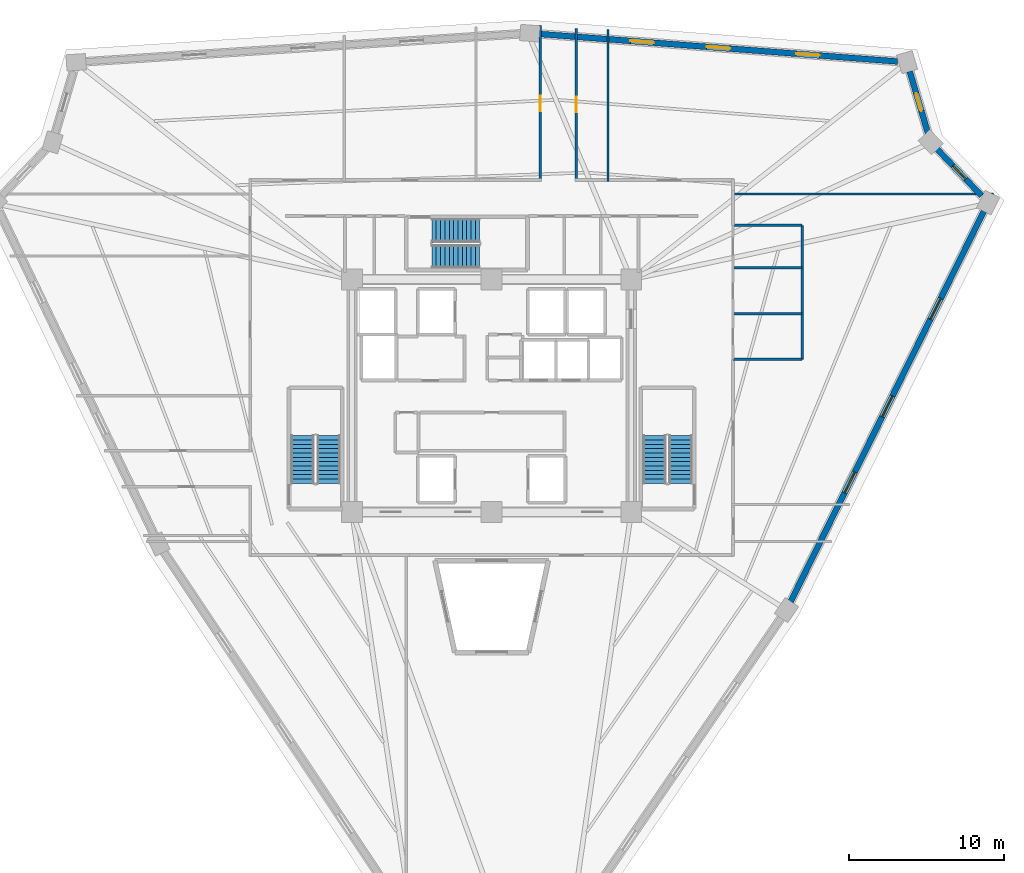
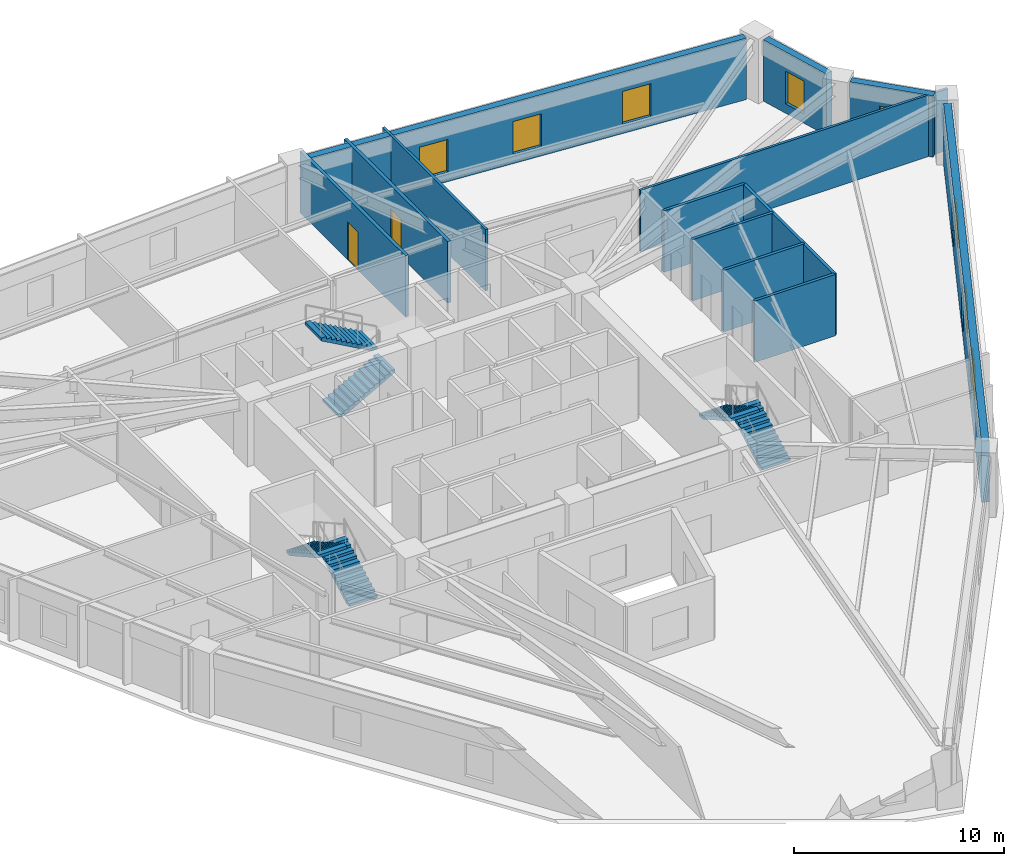
# One storey, part 7 of 8: 13 walls, 8 windows, 6 stair flights, 2 doors, 10 openings, 3 elements without a shape of their own.
"""IFC4 building model written with IfcOpenShell, lengths in metres."""

from ifc_helpers import new_model, si_unit, direction, frame, frame_2d, origin, place, context, subcontext, project, spatial, polyline, rectangle, outline, extrude, source, transform, mapped, material, layer, layer_set, type_object, element, fill, aggregate, save


model = new_model("IFC4")

# Units and contexts
model_context = context("Model", 3, precision=1e-05, world=origin(), true_north=direction((0.0, 1.0)))
body_context = subcontext(model_context, "Body", "Model", "MODEL_VIEW")
ifc_project = project(units=[si_unit("LENGTHUNIT", "METRE"), si_unit("AREAUNIT", "SQUARE_METRE"), si_unit("VOLUMEUNIT", "CUBIC_METRE"), si_unit("PLANEANGLEUNIT", "RADIAN"), si_unit("MASSUNIT", "GRAM", prefix="KILO")], contexts=[model_context])

# Site, building, storey
site_placement = place(None, origin())
site = spatial("IfcSite", under=ifc_project, at=site_placement, CompositionType="ELEMENT")
building_placement = place(site_placement, origin())
building = spatial("IfcBuilding", under=site, at=building_placement, Name="Liaohun Quay Tower", CompositionType="ELEMENT")
storey_placement = place(building_placement, frame((0.0, 0.0, 255.0)))
storey = spatial("IfcBuildingStorey", under=building, at=storey_placement, Name="L66", CompositionType="ELEMENT", Elevation=255.0)

# Wall, openings, windows
ifc_material_1 = material(Name="Precast concrete C50 insulated sandwich", Category="concrete")
ifc_layer_1 = layer(ifc_material_1, 0.3798828125, Name="Precast concrete C50 insulated sandwich", Category="concrete")
ifc_layer_set_1 = layer_set([ifc_layer_1], Name="Precast concrete C50 insulated sandwich")
wall_type_1 = type_object("IfcWallType", Name="WAL-EXT-Z34", PredefinedType="SOLIDWALL", material=ifc_layer_set_1)
wall_1_placement = place(storey_placement, frame((79.281005859375, 40.73291015625, 0.0), z_axis=(0.0, 0.0, 1.0), x_axis=(0.44350165784, 0.896273551709, 0.0)))
wall_1 = element("IfcWall", 1, at=wall_1_placement, inside=storey, type_object=wall_type_1, Name="L66 Brutalist Precast Pier Wall 03", PredefinedType="SOLIDWALL", context=body_context, shape_type="SweptSolid", body=[
    extrude(rectangle(XDim=28.07421875, YDim=0.3798828125, at=frame_2d((14.037109375, 0.0))), origin(), (0.0, 0.0, 1.0), 3.570068359375),
])
shared_shape_1 = source(origin(), body_context, "Body", "SweptSolid", [
    extrude(rectangle(XDim=1.5, YDim=1.89990234375, at=frame_2d((0.75, 0.949951171875))), frame((0.0, 0.199951171875, 0.0), z_axis=(0.0, -1.0, 0.0), x_axis=(1.0, 0.0, 0.0)), (0.0, 0.0, 1.0), 0.39990234375),
])
opening_1_placement = place(wall_1_placement, frame((7.819091796875, 0.0, 0.550048828125)))
opening_1 = element("IfcOpeningElement", 2, at=opening_1_placement, cuts=wall_1, Name="Opening W03", PredefinedType="OPENING", context=body_context, shape_type="MappedRepresentation", body=[
    mapped(shared_shape_1, transform((0.0, 0.0, 0.0), x_axis=(1.0, 0.0, 0.0), y_axis=(0.0, 1.0, 0.0), z_axis=(0.0, 0.0, 1.0), scale=1.0)),
])
opening_2_placement = place(wall_1_placement, frame((13.287109375, 0.0, 0.550048828125)))
opening_2 = element("IfcOpeningElement", 3, at=opening_2_placement, cuts=wall_1, Name="Opening W03", PredefinedType="OPENING", context=body_context, shape_type="MappedRepresentation", body=[
    mapped(shared_shape_1, transform((0.0, 0.0, 0.0), x_axis=(1.0, 0.0, 0.0), y_axis=(0.0, 1.0, 0.0), z_axis=(0.0, 0.0, 1.0), scale=1.0)),
])
opening_3_placement = place(wall_1_placement, frame((20.305908203125, 0.0, 0.550048828125)))
opening_3 = element("IfcOpeningElement", 4, at=opening_3_placement, cuts=wall_1, Name="Opening W03", PredefinedType="OPENING", context=body_context, shape_type="MappedRepresentation", body=[
    mapped(shared_shape_1, transform((0.0, 0.0, 0.0), x_axis=(1.0, 0.0, 0.0), y_axis=(0.0, 1.0, 0.0), z_axis=(0.0, 0.0, 1.0), scale=1.0)),
])
ifc_material_2 = material(Name="Triple Low-E argon glazing in thermally broken aluminium", Category="aluminium")
window_type_1 = type_object("IfcWindowType", Name="WIN-PUN-Z3", PartitioningType="DOUBLE_PANEL_VERTICAL", PredefinedType="WINDOW", material=ifc_material_2)
shared_shape_2 = source(origin(), body_context, "Body", "SweptSolid", [
    extrude(rectangle(XDim=1.5, YDim=1.89990234375, at=frame_2d((0.75, 0.949951171875))), frame((0.0, 0.030029296875, 0.0), z_axis=(0.0, -1.0, 0.0), x_axis=(1.0, 0.0, 0.0)), (0.0, 0.0, 1.0), 0.06005859375),
])
window_1_placement = place(opening_1_placement, origin())
window_1 = element("IfcWindow", 5, at=window_1_placement, inside=storey, type_object=window_type_1, Name="L66 Recessed Cold-Climate Punched Window 03-1", OverallHeight=1.89990234375, OverallWidth=1.5, PartitioningType="DOUBLE_PANEL_VERTICAL", PredefinedType="WINDOW", context=body_context, shape_type="MappedRepresentation", body=[
    mapped(shared_shape_2, transform((0.0, 0.0, 0.0), x_axis=(1.0, 0.0, 0.0), y_axis=(0.0, 1.0, 0.0), z_axis=(0.0, 0.0, 1.0), scale=1.0)),
])
fill(opening_1, window_1)
window_2_placement = place(opening_2_placement, origin())
window_2 = element("IfcWindow", 6, at=window_2_placement, inside=storey, type_object=window_type_1, Name="L66 Recessed Cold-Climate Punched Window 03-2", OverallHeight=1.89990234375, OverallWidth=1.5, PartitioningType="DOUBLE_PANEL_VERTICAL", PredefinedType="WINDOW", context=body_context, shape_type="MappedRepresentation", body=[
    mapped(shared_shape_2, transform((0.0, 0.0, 0.0), x_axis=(1.0, 0.0, 0.0), y_axis=(0.0, 1.0, 0.0), z_axis=(0.0, 0.0, 1.0), scale=1.0)),
])
fill(opening_2, window_2)
window_3_placement = place(opening_3_placement, origin())
window_3 = element("IfcWindow", 7, at=window_3_placement, inside=storey, type_object=window_type_1, Name="L66 Recessed Cold-Climate Punched Window 03-3", OverallHeight=1.89990234375, OverallWidth=1.5, PartitioningType="DOUBLE_PANEL_VERTICAL", PredefinedType="WINDOW", context=body_context, shape_type="MappedRepresentation", body=[
    mapped(shared_shape_2, transform((0.0, 0.0, 0.0), x_axis=(1.0, 0.0, 0.0), y_axis=(0.0, 1.0, 0.0), z_axis=(0.0, 0.0, 1.0), scale=1.0)),
])
fill(opening_3, window_3)

# Wall, opening, window
wall_2_placement = place(storey_placement, frame((91.5810546875, 66.89208984375, 0.0), z_axis=(0.0, 0.0, 1.0), x_axis=(-0.689387303183, 0.724392950139, 0.0)))
wall_2 = element("IfcWall", 8, at=wall_2_placement, inside=storey, type_object=wall_type_1, Name="L66 Brutalist Precast Pier Wall 04", PredefinedType="SOLIDWALL", context=body_context, shape_type="SweptSolid", body=[
    extrude(rectangle(XDim=4.142822265625, YDim=0.3798828125, at=frame_2d((2.0712890625, 0.0))), origin(), (0.0, 0.0, 1.0), 3.570068359375),
])
shared_shape_3 = source(origin(), body_context, "Body", "SweptSolid", [
    extrude(rectangle(XDim=1.199951171875, YDim=1.89990234375, at=frame_2d((0.60009765625, 0.949951171875))), frame((0.0, 0.199951171875, 0.0), z_axis=(0.0, -1.0, 0.0), x_axis=(1.0, 0.0, 0.0)), (0.0, 0.0, 1.0), 0.39990234375),
])
opening_4_placement = place(wall_2_placement, frame((1.470947265625, 0.0, 0.550048828125)))
opening_4 = element("IfcOpeningElement", 9, at=opening_4_placement, cuts=wall_2, Name="Opening W05", PredefinedType="OPENING", context=body_context, shape_type="MappedRepresentation", body=[
    mapped(shared_shape_3, transform((0.0, 0.0, 0.0), x_axis=(1.0, 0.0, 0.0), y_axis=(0.0, 1.0, 0.0), z_axis=(0.0, 0.0, 1.0), scale=1.0)),
])
ifc_material_3 = material(Name="Triple Low-E corner notch glazing", Category="glass")
window_type_2 = type_object("IfcWindowType", Name="WIN-NOTCH", PartitioningType="SINGLE_PANEL", PredefinedType="WINDOW", material=ifc_material_3)
shared_shape_4 = source(origin(), body_context, "Body", "SweptSolid", [
    extrude(rectangle(XDim=1.199951171875, YDim=1.89990234375, at=frame_2d((0.60009765625, 0.949951171875))), frame((0.0, 0.030029296875, 0.0), z_axis=(0.0, -1.0, 0.0), x_axis=(1.0, 0.0, 0.0)), (0.0, 0.0, 1.0), 0.06005859375),
])
window_4_placement = place(opening_4_placement, origin())
window_4 = element("IfcWindow", 10, at=window_4_placement, inside=storey, type_object=window_type_2, Name="L66 Corner Notch Window W05-04", OverallHeight=1.89990234375, OverallWidth=1.199951171875, PartitioningType="SINGLE_PANEL", PredefinedType="WINDOW", context=body_context, shape_type="MappedRepresentation", body=[
    mapped(shared_shape_4, transform((0.0, 0.0, 0.0), x_axis=(1.0, 0.0, 0.0), y_axis=(0.0, 1.0, 0.0), z_axis=(0.0, 0.0, 1.0), scale=1.0)),
])
fill(opening_4, window_4)

wall_3_placement = place(storey_placement, frame((88.126953125, 70.928955078125, 0.0), z_axis=(0.0, 0.0, 1.0), x_axis=(-0.283028996967, 0.959111352699, 0.0)))
wall_3 = element("IfcWall", 11, at=wall_3_placement, inside=storey, type_object=wall_type_1, Name="L66 Brutalist Precast Pier Wall 05", PredefinedType="SOLIDWALL", context=body_context, shape_type="SweptSolid", body=[
    extrude(rectangle(XDim=4.151611328125, YDim=0.3798828125, at=frame_2d((2.07568359375, 0.0))), origin(), (0.0, 0.0, 1.0), 3.570068359375),
])
opening_5_placement = place(wall_3_placement, frame((1.47607421875, 0.0, 0.550048828125)))
opening_5 = element("IfcOpeningElement", 12, at=opening_5_placement, cuts=wall_3, Name="Opening W05", PredefinedType="OPENING", context=body_context, shape_type="MappedRepresentation", body=[
    mapped(shared_shape_3, transform((0.0, 0.0, 0.0), x_axis=(1.0, 0.0, 0.0), y_axis=(0.0, 1.0, 0.0), z_axis=(0.0, 0.0, 1.0), scale=1.0)),
])
window_5_placement = place(opening_5_placement, origin())
window_5 = element("IfcWindow", 13, at=window_5_placement, inside=storey, type_object=window_type_2, Name="L66 Corner Notch Window W05-05", OverallHeight=1.89990234375, OverallWidth=1.199951171875, PartitioningType="SINGLE_PANEL", PredefinedType="WINDOW", context=body_context, shape_type="MappedRepresentation", body=[
    mapped(shared_shape_4, transform((0.0, 0.0, 0.0), x_axis=(1.0, 0.0, 0.0), y_axis=(0.0, 1.0, 0.0), z_axis=(0.0, 0.0, 1.0), scale=1.0)),
])
fill(opening_5, window_5)

# Wall, openings, windows
wall_4_placement = place(storey_placement, frame((86.1650390625, 75.548095703125, 0.0), z_axis=(0.0, 0.0, 1.0), x_axis=(-0.997058143471, 0.076648930443, 0.0)))
wall_4 = element("IfcWall", 14, at=wall_4_placement, inside=storey, type_object=wall_type_1, Name="L66 Brutalist Precast Pier Wall 06", PredefinedType="SOLIDWALL", context=body_context, shape_type="SweptSolid", body=[
    extrude(rectangle(XDim=23.15625, YDim=0.3798828125, at=frame_2d((11.578125, 0.0))), origin(), (0.0, 0.0, 1.0), 3.570068359375),
])
opening_6_placement = place(wall_4_placement, frame((5.0390625, 0.0, 0.550048828125)))
opening_6 = element("IfcOpeningElement", 15, at=opening_6_placement, cuts=wall_4, Name="Opening W03", PredefinedType="OPENING", context=body_context, shape_type="MappedRepresentation", body=[
    mapped(shared_shape_1, transform((0.0, 0.0, 0.0), x_axis=(1.0, 0.0, 0.0), y_axis=(0.0, 1.0, 0.0), z_axis=(0.0, 0.0, 1.0), scale=1.0)),
])
opening_7_placement = place(wall_4_placement, frame((10.827880859375, 0.0, 0.550048828125)))
opening_7 = element("IfcOpeningElement", 16, at=opening_7_placement, cuts=wall_4, Name="Opening W03", PredefinedType="OPENING", context=body_context, shape_type="MappedRepresentation", body=[
    mapped(shared_shape_1, transform((0.0, 0.0, 0.0), x_axis=(1.0, 0.0, 0.0), y_axis=(0.0, 1.0, 0.0), z_axis=(0.0, 0.0, 1.0), scale=1.0)),
])
opening_8_placement = place(wall_4_placement, frame((15.76708984375, 0.0, 0.550048828125)))
opening_8 = element("IfcOpeningElement", 17, at=opening_8_placement, cuts=wall_4, Name="Opening W03", PredefinedType="OPENING", context=body_context, shape_type="MappedRepresentation", body=[
    mapped(shared_shape_1, transform((0.0, 0.0, 0.0), x_axis=(1.0, 0.0, 0.0), y_axis=(0.0, 1.0, 0.0), z_axis=(0.0, 0.0, 1.0), scale=1.0)),
])
window_6_placement = place(opening_6_placement, origin())
window_6 = element("IfcWindow", 18, at=window_6_placement, inside=storey, type_object=window_type_1, Name="L66 Recessed Cold-Climate Punched Window 06-1", OverallHeight=1.89990234375, OverallWidth=1.5, PartitioningType="DOUBLE_PANEL_VERTICAL", PredefinedType="WINDOW", context=body_context, shape_type="MappedRepresentation", body=[
    mapped(shared_shape_2, transform((0.0, 0.0, 0.0), x_axis=(1.0, 0.0, 0.0), y_axis=(0.0, 1.0, 0.0), z_axis=(0.0, 0.0, 1.0), scale=1.0)),
])
fill(opening_6, window_6)
window_7_placement = place(opening_7_placement, origin())
window_7 = element("IfcWindow", 19, at=window_7_placement, inside=storey, type_object=window_type_1, Name="L66 Recessed Cold-Climate Punched Window 06-2", OverallHeight=1.89990234375, OverallWidth=1.5, PartitioningType="DOUBLE_PANEL_VERTICAL", PredefinedType="WINDOW", context=body_context, shape_type="MappedRepresentation", body=[
    mapped(shared_shape_2, transform((0.0, 0.0, 0.0), x_axis=(1.0, 0.0, 0.0), y_axis=(0.0, 1.0, 0.0), z_axis=(0.0, 0.0, 1.0), scale=1.0)),
])
fill(opening_7, window_7)
window_8_placement = place(opening_8_placement, origin())
window_8 = element("IfcWindow", 20, at=window_8_placement, inside=storey, type_object=window_type_1, Name="L66 Recessed Cold-Climate Punched Window 06-3", OverallHeight=1.89990234375, OverallWidth=1.5, PartitioningType="DOUBLE_PANEL_VERTICAL", PredefinedType="WINDOW", context=body_context, shape_type="MappedRepresentation", body=[
    mapped(shared_shape_2, transform((0.0, 0.0, 0.0), x_axis=(1.0, 0.0, 0.0), y_axis=(0.0, 1.0, 0.0), z_axis=(0.0, 0.0, 1.0), scale=1.0)),
])
fill(opening_8, window_8)

# Wall, opening, door
ifc_material_4 = material(Name="Autoclaved aerated concrete blockwork", Category="masonry")
ifc_layer_2 = layer(ifc_material_4, 0.179931640625, Name="Autoclaved aerated concrete blockwork", Category="masonry")
ifc_layer_set_2 = layer_set([ifc_layer_2], Name="Autoclaved aerated concrete blockwork")
wall_type_2 = type_object("IfcWallType", Name="WAL-PRT-COR", PredefinedType="PARTITIONING", material=ifc_layer_set_2)
wall_5_placement = place(storey_placement, frame((65.4599609375, 77.680908203125, 0.0), z_axis=(0.0, 0.0, 1.0), x_axis=(0.0, -1.0, 0.0)))
wall_5 = element("IfcWall", 21, at=wall_5_placement, inside=storey, type_object=wall_type_2, Name="L66 Interior Partition Wall 018", PredefinedType="PARTITIONING", context=body_context, shape_type="SweptSolid", body=[
    extrude(rectangle(XDim=9.8408203125, YDim=0.179931640625, at=frame_2d((4.92041015625, 0.0))), origin(), (0.0, 0.0, 1.0), 3.570068359375),
])
shared_shape_5 = source(origin(), body_context, "Body", "SweptSolid", [
    extrude(rectangle(XDim=1.0, YDim=2.199951171875, at=frame_2d((0.5, 1.10009765625))), frame((0.0, 0.099853515625, 0.0), z_axis=(0.0, -1.0, 0.0), x_axis=(1.0, 0.0, 0.0)), (0.0, 0.0, 1.0), 0.199951171875),
])
opening_9_placement = place(wall_5_placement, frame((4.419921875, 0.0, 0.0)))
opening_9 = element("IfcOpeningElement", 22, at=opening_9_placement, cuts=wall_5, Name="Opening OD1", PredefinedType="OPENING", context=body_context, shape_type="MappedRepresentation", body=[
    mapped(shared_shape_5, transform((0.0, 0.0, 0.0), x_axis=(1.0, 0.0, 0.0), y_axis=(0.0, 1.0, 0.0), z_axis=(0.0, 0.0, 1.0), scale=1.0)),
])
ifc_material_5 = material(Name="Solid-core oak veneer timber leaf in steel frame", Category="steel")
door_type = type_object("IfcDoorType", Name="DOR-OFF-1000", OperationType="NOTDEFINED", PredefinedType="DOOR", material=ifc_material_5)
shared_shape_6 = source(origin(), body_context, "Body", "SweptSolid", [
    extrude(rectangle(XDim=1.0, YDim=2.199951171875, at=frame_2d((0.5, 1.10009765625))), frame((0.0, 0.02490234375, 0.0), z_axis=(0.0, -1.0, 0.0), x_axis=(1.0, 0.0, 0.0)), (0.0, 0.0, 1.0), 0.050048828125),
])
door_1_placement = place(opening_9_placement, origin())
door_1 = element("IfcDoor", 23, at=door_1_placement, inside=storey, type_object=door_type, Name="L66 Digital Prototyping Laboratory 03 Door", OperationType="SINGLE_SWING_RIGHT", OverallHeight=2.199951171875, OverallWidth=1.0, PredefinedType="DOOR", context=body_context, shape_type="MappedRepresentation", body=[
    mapped(shared_shape_6, transform((0.0, 0.0, 0.0), x_axis=(1.0, 0.0, 0.0), y_axis=(0.0, 1.0, 0.0), z_axis=(0.0, 0.0, 1.0), scale=1.0)),
])
fill(opening_9, door_1)

wall_6_placement = place(storey_placement, frame((63.139892578125, 67.840087890625, 0.0), z_axis=(0.0, 0.0, 1.0), x_axis=(0.0, 1.0, 0.0)))
wall_6 = element("IfcWall", 24, at=wall_6_placement, inside=storey, type_object=wall_type_2, Name="L66 Interior Partition Wall 019", PredefinedType="PARTITIONING", context=body_context, shape_type="SweptSolid", body=[
    extrude(rectangle(XDim=10.018798828125, YDim=0.179931640625, at=frame_2d((5.00927734375, 0.0))), origin(), (0.0, 0.0, 1.0), 3.570068359375),
])
opening_10_placement = place(wall_6_placement, frame((4.509033203125, 0.0, 0.0)))
opening_10 = element("IfcOpeningElement", 25, at=opening_10_placement, cuts=wall_6, Name="Opening OD1", PredefinedType="OPENING", context=body_context, shape_type="MappedRepresentation", body=[
    mapped(shared_shape_5, transform((0.0, 0.0, 0.0), x_axis=(1.0, 0.0, 0.0), y_axis=(0.0, 1.0, 0.0), z_axis=(0.0, 0.0, 1.0), scale=1.0)),
])
door_2_placement = place(opening_10_placement, origin())
door_2 = element("IfcDoor", 26, at=door_2_placement, inside=storey, type_object=door_type, Name="L66 Project Collaboration Studio 04 Door", OperationType="SINGLE_SWING_LEFT", OverallHeight=2.199951171875, OverallWidth=1.0, PredefinedType="DOOR", context=body_context, shape_type="MappedRepresentation", body=[
    mapped(shared_shape_6, transform((0.0, 0.0, 0.0), x_axis=(1.0, 0.0, 0.0), y_axis=(0.0, 1.0, 0.0), z_axis=(0.0, 0.0, 1.0), scale=1.0)),
])
fill(opening_10, door_2)

# Walls
ifc_material_6 = material(Name="Gypsum board on twin steel studs", Category="steel")
ifc_layer_3 = layer(ifc_material_6, 0.139892578125, Name="Gypsum board on twin steel studs", Category="steel")
ifc_layer_set_3 = layer_set([ifc_layer_3], Name="Gypsum board on twin steel studs")
wall_type_3 = type_object("IfcWallType", Name="WAL-PRT-OFF", PredefinedType="PARTITIONING", material=ifc_layer_set_3)
wall_7_placement = place(storey_placement, frame((75.4599609375, 67.0, 0.0), z_axis=(0.0, 0.0, 1.0), x_axis=(1.0, 0.0, 0.0)))
element("IfcWall", 27, at=wall_7_placement, inside=storey, type_object=wall_type_3, Name="L66 Interior Partition Wall 061", PredefinedType="PARTITIONING", context=body_context, shape_type="SweptSolid", body=[
    extrude(rectangle(XDim=16.887939453125, YDim=0.139892578125, at=frame_2d((8.44384765625, 0.0))), origin(), (0.0, 0.0, 1.0), 3.570068359375),
])
wall_8_placement = place(storey_placement, frame((67.5, 67.81005859375, 0.0), z_axis=(0.0, 0.0, 1.0), x_axis=(0.0, 1.0, 0.0)))
element("IfcWall", 28, at=wall_8_placement, inside=storey, type_object=wall_type_3, Name="L66 Interior Partition Wall 064", PredefinedType="PARTITIONING", context=body_context, shape_type="SweptSolid", body=[
    extrude(rectangle(XDim=9.804931640625, YDim=0.139892578125, at=frame_2d((4.90234375, 0.0))), origin(), (0.0, 0.0, 1.0), 3.570068359375),
])
ifc_material_7 = material(Name="Moisture-resistant masonry blockwork", Category="masonry")
ifc_layer_4 = layer(ifc_material_7, 0.159912109375, Name="Moisture-resistant masonry blockwork", Category="masonry")
ifc_layer_set_4 = layer_set([ifc_layer_4], Name="Moisture-resistant masonry blockwork")
wall_type_4 = type_object("IfcWallType", Name="WAL-PRT-WET", PredefinedType="PARTITIONING", material=ifc_layer_set_4)
wall_9_placement = place(storey_placement, frame((80.02001953125, 56.340087890625, 0.0), z_axis=(0.0, 0.0, 1.0), x_axis=(0.0, 1.0, 0.0)))
element("IfcWall", 29, at=wall_9_placement, inside=storey, type_object=wall_type_4, Name="L66 Interior Partition Wall 035", PredefinedType="PARTITIONING", context=body_context, shape_type="SweptSolid", body=[
    extrude(rectangle(XDim=8.639892578125, YDim=0.159912109375, at=frame_2d((4.31982421875, 0.0))), origin(), (0.0, 0.0, 1.0), 3.570068359375),
])
for number, where, z_axis, x_axis, name in (
    (30, (75.56005859375, 56.340087890625, 0.0), (0.0, 0.0, 1.0), (1.0, 0.0, 0.0), "L66 Interior Partition Wall 036"),
    (31, (75.56005859375, 59.280029296875, 0.0), (0.0, 0.0, 1.0), (1.0, 0.0, 0.0), "L66 Interior Partition Wall 037"),
    (32, (75.56005859375, 62.239990234375, 0.0), (0.0, 0.0, 1.0), (1.0, 0.0, 0.0), "L66 Interior Partition Wall 038"),
    (33, (75.56005859375, 64.97998046875, 0.0), (0.0, 0.0, 1.0), (1.0, 0.0, 0.0), "L66 Interior Partition Wall 039"),
):
    element("IfcWall", number, at=place(storey_placement, frame(where, z_axis=z_axis, x_axis=x_axis)), inside=storey, type_object=wall_type_4, Name=name, PredefinedType="PARTITIONING", context=body_context, shape_type="SweptSolid", body=[
        extrude(rectangle(XDim=4.4599609375, YDim=0.159912109375, at=frame_2d((2.22998046875, 0.0))), origin(), (0.0, 0.0, 1.0), 3.570068359375),
    ])

# Stair, stair flights
ifc_material_8 = material(Name="Concrete C45", Category="concrete")
stair_type = type_object("IfcStairType", Name="STR-CORE-OFF", PredefinedType="HALF_TURN_STAIR", material=ifc_material_8)
stair_1_placement = place(storey_placement, origin())
stair_1 = element("IfcStair", 34, at=stair_1_placement, inside=storey, type_object=stair_type, Name="L66 Smokeproof Core Exit Stair ST-1", PredefinedType="HALF_TURN_STAIR")
stair_flight_type = type_object("IfcStairFlightType", Name="FLT-CORE-155", PredefinedType="STRAIGHT", material=ifc_material_8)
stair_flight_1_placement = place(storey_placement, frame((49.5048828125, 48.35009765625, 0.0), z_axis=(0.0, 0.0, 1.0), x_axis=(0.0, 1.0, 0.0)))
stair_flight_1 = element("IfcStairFlight", 35, at=stair_flight_1_placement, type_object=stair_flight_type, Name="ST-1 flight 1", NumberOfRisers=12, NumberOfTreads=11, PredefinedType="STRAIGHT", RiserHeight=0.15625, TreadLength=0.28, context=body_context, shape_type="SweptSolid", body=[
    extrude(outline(polyline([(0.0, 0.0), (0.0, 0.15625), (0.280029296875, 0.15625), (0.280029296875, 0.3125), (0.56005859375, 0.3125), (0.56005859375, 0.46875), (0.840087890625, 0.46875), (0.840087890625, 0.625), (1.1201171875, 0.625), (1.1201171875, 0.78125), (1.39990234375, 0.78125), (1.39990234375, 0.9375), (1.679931640625, 0.9375), (1.679931640625, 1.09375), (1.9599609375, 1.09375), (1.9599609375, 1.25), (2.239990234375, 1.25), (2.239990234375, 1.40625), (2.52001953125, 1.40625), (2.52001953125, 1.5625), (2.800048828125, 1.5625), (2.800048828125, 1.71875), (3.080078125, 1.71875), (3.080078125, 1.875), (3.080078125, 1.547119140625), (0.3076171875, 0.0), (0.0, 0.0)])), frame((0.0, 0.77490234375, 0.0), z_axis=(0.0, -1.0, 0.0), x_axis=(1.0, 0.0, 0.0)), (0.0, 0.0, 1.0), 1.550048828125),
])
stair_flight_2_placement = place(storey_placement, frame((47.81494140625, 51.429931640625, 1.875), z_axis=(0.0, 0.0, 1.0), x_axis=(0.0, -1.0, 0.0)))
stair_flight_2 = element("IfcStairFlight", 36, at=stair_flight_2_placement, type_object=stair_flight_type, Name="ST-1 flight 2", NumberOfRisers=12, NumberOfTreads=11, PredefinedType="STRAIGHT", RiserHeight=0.15625, TreadLength=0.28, context=body_context, shape_type="SweptSolid", body=[
    extrude(outline(polyline([(0.0, 0.0), (0.0, 0.15625), (0.280029296875, 0.15625), (0.280029296875, 0.3125), (0.56005859375, 0.3125), (0.56005859375, 0.46875), (0.840087890625, 0.46875), (0.840087890625, 0.625), (1.1201171875, 0.625), (1.1201171875, 0.78125), (1.39990234375, 0.78125), (1.39990234375, 0.9375), (1.679931640625, 0.9375), (1.679931640625, 1.09375), (1.9599609375, 1.09375), (1.9599609375, 1.25), (2.239990234375, 1.25), (2.239990234375, 1.40625), (2.52001953125, 1.40625), (2.52001953125, 1.5625), (2.800048828125, 1.5625), (2.800048828125, 1.71875), (3.080078125, 1.71875), (3.080078125, 1.875), (3.080078125, 1.547119140625), (0.3076171875, 0.0), (0.0, 0.0)])), frame((0.0, 0.77490234375, 0.0), z_axis=(0.0, -1.0, 0.0), x_axis=(1.0, 0.0, 0.0)), (0.0, 0.0, 1.0), 1.550048828125),
])
aggregate(stair_1, [stair_flight_1, stair_flight_2])

stair_2_placement = place(storey_placement, origin())
stair_2 = element("IfcStair", 37, at=stair_2_placement, inside=storey, type_object=stair_type, Name="L66 Smokeproof Core Exit Stair ST-2", PredefinedType="HALF_TURN_STAIR")
stair_flight_3_placement = place(storey_placement, frame((72.18505859375, 48.35009765625, 0.0), z_axis=(0.0, 0.0, 1.0), x_axis=(0.0, 1.0, 0.0)))
stair_flight_3 = element("IfcStairFlight", 38, at=stair_flight_3_placement, type_object=stair_flight_type, Name="ST-2 flight 1", NumberOfRisers=12, NumberOfTreads=11, PredefinedType="STRAIGHT", RiserHeight=0.15625, TreadLength=0.28, context=body_context, shape_type="SweptSolid", body=[
    extrude(outline(polyline([(0.0, 0.0), (0.0, 0.15625), (0.280029296875, 0.15625), (0.280029296875, 0.3125), (0.56005859375, 0.3125), (0.56005859375, 0.46875), (0.840087890625, 0.46875), (0.840087890625, 0.625), (1.1201171875, 0.625), (1.1201171875, 0.78125), (1.39990234375, 0.78125), (1.39990234375, 0.9375), (1.679931640625, 0.9375), (1.679931640625, 1.09375), (1.9599609375, 1.09375), (1.9599609375, 1.25), (2.239990234375, 1.25), (2.239990234375, 1.40625), (2.52001953125, 1.40625), (2.52001953125, 1.5625), (2.800048828125, 1.5625), (2.800048828125, 1.71875), (3.080078125, 1.71875), (3.080078125, 1.875), (3.080078125, 1.547119140625), (0.3076171875, 0.0), (0.0, 0.0)])), frame((0.0, 0.77490234375, 0.0), z_axis=(0.0, -1.0, 0.0), x_axis=(1.0, 0.0, 0.0)), (0.0, 0.0, 1.0), 1.550048828125),
])
stair_flight_4_placement = place(storey_placement, frame((70.4951171875, 51.429931640625, 1.875), z_axis=(0.0, 0.0, 1.0), x_axis=(0.0, -1.0, 0.0)))
stair_flight_4 = element("IfcStairFlight", 39, at=stair_flight_4_placement, type_object=stair_flight_type, Name="ST-2 flight 2", NumberOfRisers=12, NumberOfTreads=11, PredefinedType="STRAIGHT", RiserHeight=0.15625, TreadLength=0.28, context=body_context, shape_type="SweptSolid", body=[
    extrude(outline(polyline([(0.0, 0.0), (0.0, 0.15625), (0.280029296875, 0.15625), (0.280029296875, 0.3125), (0.56005859375, 0.3125), (0.56005859375, 0.46875), (0.840087890625, 0.46875), (0.840087890625, 0.625), (1.1201171875, 0.625), (1.1201171875, 0.78125), (1.39990234375, 0.78125), (1.39990234375, 0.9375), (1.679931640625, 0.9375), (1.679931640625, 1.09375), (1.9599609375, 1.09375), (1.9599609375, 1.25), (2.239990234375, 1.25), (2.239990234375, 1.40625), (2.52001953125, 1.40625), (2.52001953125, 1.5625), (2.800048828125, 1.5625), (2.800048828125, 1.71875), (3.080078125, 1.71875), (3.080078125, 1.875), (3.080078125, 1.547119140625), (0.3076171875, 0.0), (0.0, 0.0)])), frame((0.0, 0.77490234375, 0.0), z_axis=(0.0, -1.0, 0.0), x_axis=(1.0, 0.0, 0.0)), (0.0, 0.0, 1.0), 1.550048828125),
])
aggregate(stair_2, [stair_flight_3, stair_flight_4])

stair_3_placement = place(storey_placement, origin())
stair_3 = element("IfcStair", 40, at=stair_3_placement, inside=storey, type_object=stair_type, Name="L66 Smokeproof Core Exit Stair ST-3", PredefinedType="HALF_TURN_STAIR")
stair_flight_5_placement = place(storey_placement, frame((56.14990234375, 62.97509765625, 0.0), z_axis=(0.0, 0.0, 1.0), x_axis=(1.0, 0.0, 0.0)))
stair_flight_5 = element("IfcStairFlight", 41, at=stair_flight_5_placement, type_object=stair_flight_type, Name="ST-3 flight 1", NumberOfRisers=12, NumberOfTreads=11, PredefinedType="STRAIGHT", RiserHeight=0.15625, TreadLength=0.28, context=body_context, shape_type="SweptSolid", body=[
    extrude(outline(polyline([(0.0, 0.0), (0.0, 0.15625), (0.280029296875, 0.15625), (0.280029296875, 0.3125), (0.56005859375, 0.3125), (0.56005859375, 0.46875), (0.840087890625, 0.46875), (0.840087890625, 0.625), (1.1201171875, 0.625), (1.1201171875, 0.78125), (1.39990234375, 0.78125), (1.39990234375, 0.9375), (1.679931640625, 0.9375), (1.679931640625, 1.09375), (1.9599609375, 1.09375), (1.9599609375, 1.25), (2.239990234375, 1.25), (2.239990234375, 1.40625), (2.52001953125, 1.40625), (2.52001953125, 1.5625), (2.800048828125, 1.5625), (2.800048828125, 1.71875), (3.080078125, 1.71875), (3.080078125, 1.875), (3.080078125, 1.547119140625), (0.3076171875, 0.0), (0.0, 0.0)])), frame((0.0, 0.77490234375, 0.0), z_axis=(0.0, -1.0, 0.0), x_axis=(1.0, 0.0, 0.0)), (0.0, 0.0, 1.0), 1.550048828125),
])
stair_flight_6_placement = place(storey_placement, frame((59.22998046875, 64.6650390625, 1.875), z_axis=(0.0, 0.0, 1.0), x_axis=(-1.0, 0.0, 0.0)))
stair_flight_6 = element("IfcStairFlight", 42, at=stair_flight_6_placement, type_object=stair_flight_type, Name="ST-3 flight 2", NumberOfRisers=12, NumberOfTreads=11, PredefinedType="STRAIGHT", RiserHeight=0.15625, TreadLength=0.28, context=body_context, shape_type="SweptSolid", body=[
    extrude(outline(polyline([(0.0, 0.0), (0.0, 0.15625), (0.280029296875, 0.15625), (0.280029296875, 0.3125), (0.56005859375, 0.3125), (0.56005859375, 0.46875), (0.840087890625, 0.46875), (0.840087890625, 0.625), (1.1201171875, 0.625), (1.1201171875, 0.78125), (1.39990234375, 0.78125), (1.39990234375, 0.9375), (1.679931640625, 0.9375), (1.679931640625, 1.09375), (1.9599609375, 1.09375), (1.9599609375, 1.25), (2.239990234375, 1.25), (2.239990234375, 1.40625), (2.52001953125, 1.40625), (2.52001953125, 1.5625), (2.800048828125, 1.5625), (2.800048828125, 1.71875), (3.080078125, 1.71875), (3.080078125, 1.875), (3.080078125, 1.547119140625), (0.3076171875, 0.0), (0.0, 0.0)])), frame((0.0, 0.77490234375, 0.0), z_axis=(0.0, -1.0, 0.0), x_axis=(1.0, 0.0, 0.0)), (0.0, 0.0, 1.0), 1.550048828125),
])
aggregate(stair_3, [stair_flight_5, stair_flight_6])

save(model, "model.ifc")
